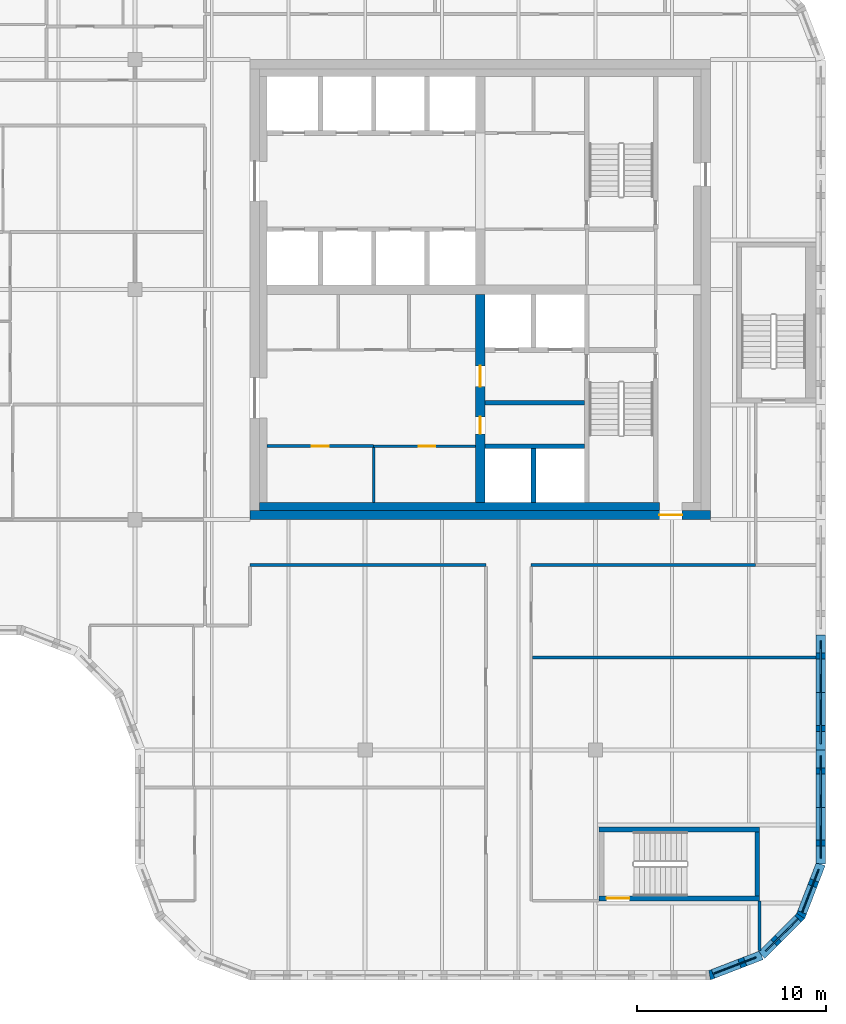
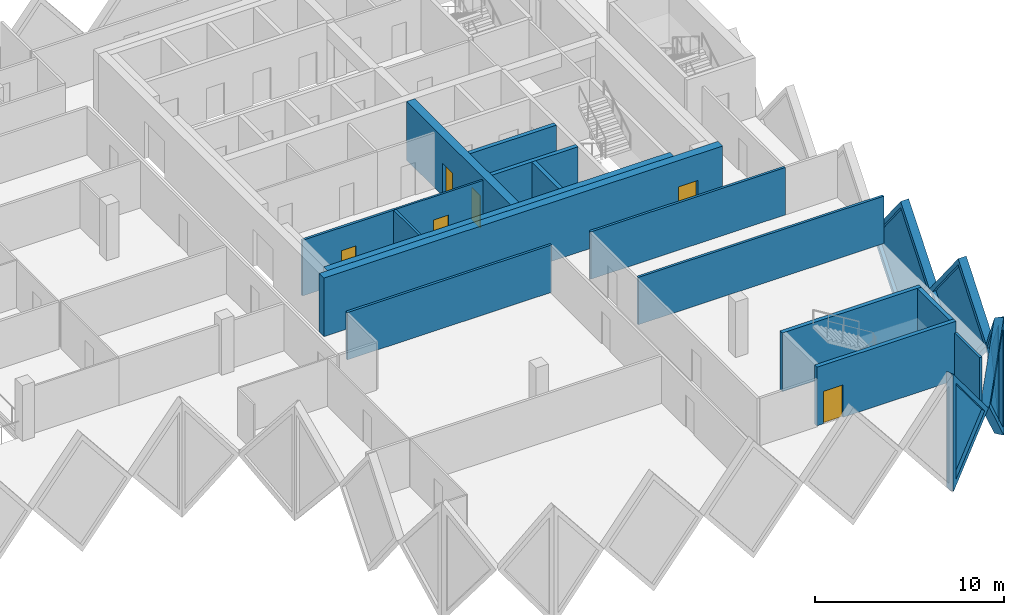
# One storey, part 5 of 12: 21 walls, 6 doors, 5 plates, 11 openings.
"""IFC4 building model written with IfcOpenShell, lengths in metres."""

from ifc_helpers import new_model, si_unit, direction, frame, frame_2d, origin, place, context, subcontext, project, spatial, polyline, rectangle, outline, extrude, faceted_brep, source, transform, mapped, material, layer, layer_set, type_object, element, fill, save


model = new_model("IFC4")

# Units and contexts
model_context = context("Model", 3, precision=1e-05, world=origin(), true_north=direction((0.0, 1.0)))
body_context = subcontext(model_context, "Body", "Model", "MODEL_VIEW")
ifc_project = project(units=[si_unit("LENGTHUNIT", "METRE"), si_unit("AREAUNIT", "SQUARE_METRE"), si_unit("VOLUMEUNIT", "CUBIC_METRE"), si_unit("PLANEANGLEUNIT", "RADIAN"), si_unit("MASSUNIT", "GRAM", prefix="KILO")], contexts=[model_context])

# Site, building, storey
site_placement = place(None, origin())
site = spatial("IfcSite", under=ifc_project, at=site_placement, CompositionType="ELEMENT")
building_placement = place(site_placement, origin())
building = spatial("IfcBuilding", under=site, at=building_placement, Name="Tessera Gate Towers", CompositionType="ELEMENT")
storey_placement = place(building_placement, frame((0.0, 0.0, 220.699951171875)))
storey = spatial("IfcBuildingStorey", under=building, at=storey_placement, Name="L55", CompositionType="ELEMENT", Elevation=220.699951171875)

# Walls
ifc_material_1 = material(Name="Concrete C40/50", Category="concrete")
ifc_layer_1 = layer(ifc_material_1, 0.25)
ifc_layer_set_1 = layer_set([ifc_layer_1], Name="CORE ENCLOSURE WALL 250")
wall_type_1 = type_object("IfcWallType", Name="CORE ENCLOSURE WALL 250", PredefinedType="SOLIDWALL", material=ifc_layer_set_1)
for number, where, z_axis, x_axis, name in (
    (1, (42.949951171875, 28.300048828125, 0.0), (0.0, 0.0, 1.0), (1.0, 0.0, 0.0), "L55 shaft and stair enclosure wall"),
    (2, (42.949951171875, 30.60009765625, 0.0), (0.0, 0.0, 1.0), (1.0, 0.0, 0.0), "L55 shaft and stair enclosure wall"),
):
    element("IfcWall", number, at=place(storey_placement, frame(where, z_axis=z_axis, x_axis=x_axis)), inside=storey, type_object=wall_type_1, Name=name, PredefinedType="SOLIDWALL", context=body_context, shape_type="SweptSolid", body=[
        extrude(rectangle(XDim=5.275146484375, YDim=0.25, at=frame_2d((2.6376953125, 0.0))), origin(), (0.0, 0.0, 1.0), 3.800048828125),
    ])
wall_1_placement = place(storey_placement, frame((45.52490234375, 25.300048828125, 0.0), z_axis=(0.0, 0.0, 1.0), x_axis=(0.0, 1.0, 0.0)))
element("IfcWall", 3, at=wall_1_placement, inside=storey, type_object=wall_type_1, Name="L55 shaft and stair enclosure wall", PredefinedType="SOLIDWALL", context=body_context, shape_type="SweptSolid", body=[
    extrude(rectangle(XDim=2.875, YDim=0.25, at=frame_2d((1.4375, 0.0))), origin(), (0.0, 0.0, 1.0), 3.800048828125),
])

# Wall, opening, door
wall_2_placement = place(storey_placement, frame((57.5, 4.324951171875, 0.0), z_axis=(0.0, 0.0, 1.0), x_axis=(-1.0, 0.0, 0.0)))
wall_2 = element("IfcWall", 4, at=wall_2_placement, inside=storey, type_object=wall_type_1, Name="L55 ST4 enclosure wall", PredefinedType="SOLIDWALL", context=body_context, shape_type="SweptSolid", body=[
    extrude(rectangle(XDim=8.5, YDim=0.25, at=frame_2d((4.25, 0.0))), origin(), (0.0, 0.0, 1.0), 3.800048828125),
])
shared_shape_1 = source(origin(), body_context, "Body", "SweptSolid", [
    extrude(rectangle(XDim=1.199951171875, YDim=2.10009765625, at=frame_2d((0.60009765625, 1.050048828125))), frame((0.0, 0.135009765625, 0.0), z_axis=(0.0, -1.0, 0.0), x_axis=(1.0, 0.0, 0.0)), (0.0, 0.0, 1.0), 0.27001953125),
])
opening_1_placement = place(wall_2_placement, frame((6.89990234375, 0.0, 0.0)))
opening_1 = element("IfcOpeningElement", 5, at=opening_1_placement, cuts=wall_2, Name="Opening SD-ST4-1", PredefinedType="OPENING", context=body_context, shape_type="MappedRepresentation", body=[
    mapped(shared_shape_1, transform((0.0, 0.0, 0.0), scale=1.0)),
])
ifc_material_2 = material(Name="Hollow steel fire door", Category="steel")
door_type_1 = type_object("IfcDoorType", Name="CORE DOOR SD 1200x2100", OperationType="NOTDEFINED", PredefinedType="DOOR", material=ifc_material_2)
shared_shape_2 = source(origin(), body_context, "Body", "SweptSolid", [
    extrude(rectangle(XDim=1.199951171875, YDim=2.10009765625, at=frame_2d((0.60009765625, 1.050048828125))), frame((0.0, 0.02490234375, 0.0), z_axis=(0.0, -1.0, 0.0), x_axis=(1.0, 0.0, 0.0)), (0.0, 0.0, 1.0), 0.050048828125),
])
door_1_placement = place(opening_1_placement, origin())
door_1 = element("IfcDoor", 6, at=door_1_placement, inside=storey, type_object=door_type_1, Name="Stair door", OperationType="SINGLE_SWING_RIGHT", OverallHeight=2.10009765625, OverallWidth=1.199951171875, PredefinedType="DOOR", context=body_context, shape_type="MappedRepresentation", body=[
    mapped(shared_shape_2, transform((0.0, 0.0, 0.0), scale=1.0)),
])
fill(opening_1, door_1)

# Walls
wall_3_placement = place(storey_placement, frame((49.0, 7.97509765625, 0.0), z_axis=(0.0, 0.0, 1.0), x_axis=(1.0, 0.0, 0.0)))
element("IfcWall", 7, at=wall_3_placement, inside=storey, type_object=wall_type_1, Name="L55 ST4 enclosure wall", PredefinedType="SOLIDWALL", context=body_context, shape_type="SweptSolid", body=[
    extrude(rectangle(XDim=8.5, YDim=0.25, at=frame_2d((4.25, 0.0))), origin(), (0.0, 0.0, 1.0), 3.800048828125),
])
wall_4_placement = place(storey_placement, frame((57.375, 7.85009765625, 0.0), z_axis=(0.0, 0.0, 1.0), x_axis=(0.0, -1.0, 0.0)))
element("IfcWall", 8, at=wall_4_placement, inside=storey, type_object=wall_type_1, Name="L55 ST4 enclosure wall", PredefinedType="SOLIDWALL", context=body_context, shape_type="SweptSolid", body=[
    extrude(rectangle(XDim=3.400146484375, YDim=0.25, at=frame_2d((1.7001953125, 0.0))), origin(), (0.0, 0.0, 1.0), 3.800048828125),
])

# Wall, opening, door
ifc_material_3 = material(Name="Gypsum board on steel studs", Category="steel")
ifc_layer_2 = layer(ifc_material_3, 0.1201171875)
ifc_layer_set_2 = layer_set([ifc_layer_2], Name="CORE PARTITION 120")
wall_type_2 = type_object("IfcWallType", Name="CORE PARTITION 120", PredefinedType="PARTITIONING", material=ifc_layer_set_2)
wall_5_placement = place(storey_placement, frame((42.449951171875, 28.300048828125, 0.0), z_axis=(0.0, 0.0, 1.0), x_axis=(-1.0, 0.0, 0.0)))
wall_5 = element("IfcWall", 9, at=wall_5_placement, inside=storey, type_object=wall_type_2, Name="L55 core partition", PredefinedType="PARTITIONING", context=body_context, shape_type="SweptSolid", body=[
    extrude(rectangle(XDim=5.39990234375, YDim=0.1201171875, at=frame_2d((2.699951171875, 0.0))), origin(), (0.0, 0.0, 1.0), 3.60009765625),
])
shared_shape_3 = source(origin(), body_context, "Body", "SweptSolid", [
    extrude(rectangle(XDim=0.89990234375, YDim=2.10009765625, at=frame_2d((0.449951171875, 1.050048828125))), frame((0.0, 0.070068359375, 0.0), z_axis=(0.0, -1.0, 0.0), x_axis=(1.0, 0.0, 0.0)), (0.0, 0.0, 1.0), 0.14013671875),
])
opening_2_placement = place(wall_5_placement, frame((2.125, 0.0, 0.0)))
opening_2 = element("IfcOpeningElement", 10, at=opening_2_placement, cuts=wall_5, Name="Opening RD-T1-33-14", PredefinedType="OPENING", context=body_context, shape_type="MappedRepresentation", body=[
    mapped(shared_shape_3, transform((0.0, 0.0, 0.0), scale=1.0)),
])
ifc_material_4 = material(Name="Hollow steel fire door", Category="steel")
door_type_2 = type_object("IfcDoorType", Name="CORE DOOR RD 900x2100", OperationType="NOTDEFINED", PredefinedType="DOOR", material=ifc_material_4)
shared_shape_4 = source(origin(), body_context, "Body", "SweptSolid", [
    extrude(rectangle(XDim=0.89990234375, YDim=2.10009765625, at=frame_2d((0.449951171875, 1.050048828125))), frame((0.0, 0.02490234375, 0.0), z_axis=(0.0, -1.0, 0.0), x_axis=(1.0, 0.0, 0.0)), (0.0, 0.0, 1.0), 0.050048828125),
])
door_2_placement = place(opening_2_placement, origin())
door_2 = element("IfcDoor", 11, at=door_2_placement, inside=storey, type_object=door_type_2, Name="Core room door", OperationType="SINGLE_SWING_LEFT", OverallHeight=2.10009765625, OverallWidth=0.89990234375, PredefinedType="DOOR", context=body_context, shape_type="MappedRepresentation", body=[
    mapped(shared_shape_4, transform((0.0, 0.0, 0.0), scale=1.0)),
])
fill(opening_2, door_2)

ifc_material_5 = material(Name="Concrete C50/60", Category="concrete")
ifc_layer_3 = layer(ifc_material_5, 0.5)
ifc_layer_set_3 = layer_set([ifc_layer_3], Name="CORE SHEAR WALL 500 C50/60")
wall_type_3 = type_object("IfcWallType", Name="CORE SHEAR WALL 500 C50/60", PredefinedType="SHEAR", material=ifc_layer_set_3)
wall_6_placement = place(storey_placement, frame((54.89990234375, 24.64990234375, 0.0), z_axis=(0.0, 0.0, 1.0), x_axis=(-1.0, 0.0, 0.0)))
wall_6 = element("IfcWall", 12, at=wall_6_placement, inside=storey, type_object=wall_type_3, Name="Core wall S L55", PredefinedType="SHEAR", context=body_context, shape_type="SweptSolid", body=[
    extrude(rectangle(XDim=24.39990234375, YDim=0.5, at=frame_2d((12.199951171875, 0.0))), origin(), (0.0, 0.0, 1.0), 3.800048828125),
])
shared_shape_5 = source(origin(), body_context, "Body", "SweptSolid", [
    extrude(rectangle(XDim=1.199951171875, YDim=2.10009765625, at=frame_2d((0.60009765625, 1.050048828125))), frame((0.0, 0.260009765625, 0.0), z_axis=(0.0, -1.0, 0.0), x_axis=(1.0, 0.0, 0.0)), (0.0, 0.0, 1.0), 0.52001953125),
])
opening_3_placement = place(wall_6_placement, frame((1.5, 0.0, 0.0)))
opening_3 = element("IfcOpeningElement", 13, at=opening_3_placement, cuts=wall_6, Name="Opening ED-T1-33-01", PredefinedType="OPENING", context=body_context, shape_type="MappedRepresentation", body=[
    mapped(shared_shape_5, transform((0.0, 0.0, 0.0), scale=1.0)),
])
ifc_material_6 = material(Name="Hollow steel fire door", Category="steel")
door_type_3 = type_object("IfcDoorType", Name="CORE DOOR ED 1200x2100", OperationType="NOTDEFINED", PredefinedType="DOOR", material=ifc_material_6)
door_3_placement = place(opening_3_placement, origin())
door_3 = element("IfcDoor", 14, at=door_3_placement, inside=storey, type_object=door_type_3, Name="Core exit door", OperationType="SINGLE_SWING_LEFT", OverallHeight=2.10009765625, OverallWidth=1.199951171875, PredefinedType="DOOR", context=body_context, shape_type="MappedRepresentation", body=[
    mapped(shared_shape_2, transform((0.0, 0.0, 0.0), scale=1.0)),
])
fill(opening_3, door_3)

# Wall, openings, doors
ifc_material_7 = material(Name="Concrete C50/60", Category="concrete")
ifc_layer_4 = layer(ifc_material_7, 0.5)
ifc_layer_set_4 = layer_set([ifc_layer_4], Name="CORE SPINE WALL 500 C50/60")
wall_type_4 = type_object("IfcWallType", Name="CORE SPINE WALL 500 C50/60", PredefinedType="SHEAR", material=ifc_layer_set_4)
wall_7_placement = place(storey_placement, frame((42.699951171875, 36.35009765625, 0.0), z_axis=(0.0, 0.0, 1.0), x_axis=(0.0, -1.0, 0.0)))
wall_7 = element("IfcWall", 15, at=wall_7_placement, inside=storey, type_object=wall_type_4, Name="Core wall spine L55", PredefinedType="SHEAR", context=body_context, shape_type="SweptSolid", body=[
    extrude(rectangle(XDim=11.050048828125, YDim=0.5, at=frame_2d((5.52490234375, 0.0))), origin(), (0.0, 0.0, 1.0), 3.800048828125),
])
shared_shape_6 = source(origin(), body_context, "Body", "SweptSolid", [
    extrude(rectangle(XDim=0.89990234375, YDim=2.10009765625, at=frame_2d((0.449951171875, 1.050048828125))), frame((0.0, 0.260009765625, 0.0), z_axis=(0.0, -1.0, 0.0), x_axis=(1.0, 0.0, 0.0)), (0.0, 0.0, 1.0), 0.52001953125),
])
opening_4_placement = place(wall_7_placement, frame((6.5, 0.0, 0.0)))
opening_4 = element("IfcOpeningElement", 16, at=opening_4_placement, cuts=wall_7, Name="Opening RD-T1-33-05", PredefinedType="OPENING", context=body_context, shape_type="MappedRepresentation", body=[
    mapped(shared_shape_6, transform((0.0, 0.0, 0.0), scale=1.0)),
])
shared_shape_7 = source(origin(), body_context, "Body", "SweptSolid", [
    extrude(rectangle(XDim=1.10009765625, YDim=2.10009765625, at=frame_2d((0.550048828125, 1.050048828125))), frame((0.0, 0.260009765625, 0.0), z_axis=(0.0, -1.0, 0.0), x_axis=(1.0, 0.0, 0.0)), (0.0, 0.0, 1.0), 0.52001953125),
])
opening_5_placement = place(wall_7_placement, frame((3.800048828125, 0.0, 0.0)))
opening_5 = element("IfcOpeningElement", 17, at=opening_5_placement, cuts=wall_7, Name="Opening FD-T1-33-06", PredefinedType="OPENING", context=body_context, shape_type="MappedRepresentation", body=[
    mapped(shared_shape_7, transform((0.0, 0.0, 0.0), scale=1.0)),
])
door_4_placement = place(opening_4_placement, origin())
door_4 = element("IfcDoor", 18, at=door_4_placement, inside=storey, type_object=door_type_2, Name="Core room door", OperationType="SINGLE_SWING_RIGHT", OverallHeight=2.10009765625, OverallWidth=0.89990234375, PredefinedType="DOOR", context=body_context, shape_type="MappedRepresentation", body=[
    mapped(shared_shape_4, transform((0.0, 0.0, 0.0), scale=1.0)),
])
fill(opening_4, door_4)
ifc_material_8 = material(Name="Hollow steel fire door", Category="steel")
door_type_4 = type_object("IfcDoorType", Name="CORE DOOR FD 1100x2100", OperationType="NOTDEFINED", PredefinedType="DOOR", material=ifc_material_8)
shared_shape_8 = source(origin(), body_context, "Body", "SweptSolid", [
    extrude(rectangle(XDim=1.10009765625, YDim=2.10009765625, at=frame_2d((0.550048828125, 1.050048828125))), frame((0.0, 0.02490234375, 0.0), z_axis=(0.0, -1.0, 0.0), x_axis=(1.0, 0.0, 0.0)), (0.0, 0.0, 1.0), 0.050048828125),
])
door_5_placement = place(opening_5_placement, origin())
door_5 = element("IfcDoor", 19, at=door_5_placement, inside=storey, type_object=door_type_4, Name="Fire-fighting lobby door", OperationType="SINGLE_SWING_LEFT", OverallHeight=2.10009765625, OverallWidth=1.10009765625, PredefinedType="DOOR", context=body_context, shape_type="MappedRepresentation", body=[
    mapped(shared_shape_8, transform((0.0, 0.0, 0.0), scale=1.0)),
])
fill(opening_5, door_5)

# Walls
ifc_material_9 = material(Name="Concrete C50/60", Category="concrete")
ifc_layer_5 = layer(ifc_material_9, 0.39990234375)
ifc_layer_set_5 = layer_set([ifc_layer_5], Name="CORE WALL THICKENING 400")
wall_type_5 = type_object("IfcWallType", Name="CORE WALL THICKENING 400", PredefinedType="SOLIDWALL", material=ifc_layer_set_5)
wall_8_placement = place(storey_placement, frame((31.0, 25.10009765625, 0.0), z_axis=(0.0, 0.0, 1.0), x_axis=(1.0, 0.0, 0.0)))
element("IfcWall", 20, at=wall_8_placement, inside=storey, type_object=wall_type_5, Name="Core wall thickening S L55", PredefinedType="SOLIDWALL", context=body_context, shape_type="SweptSolid", body=[
    extrude(rectangle(XDim=21.199951171875, YDim=0.39990234375, at=frame_2d((10.60009765625, 0.0))), origin(), (0.0, 0.0, 1.0), 3.800048828125),
])
ifc_material_10 = material(Name="Gypsum board on steel studs, mineral wool", Category="steel")
ifc_layer_6 = layer(ifc_material_10, 0.14990234375)
ifc_layer_set_6 = layer_set([ifc_layer_6], Name="CORRIDOR WALL 150")
wall_type_6 = type_object("IfcWallType", Name="CORRIDOR WALL 150", PredefinedType="PARTITIONING", material=ifc_layer_set_6)
wall_9_placement = place(storey_placement, frame((57.5, 1.55908203125, 0.0), z_axis=(0.0, 0.0, 1.0), x_axis=(0.0, 1.0, 0.0)))
element("IfcWall", 21, at=wall_9_placement, inside=storey, type_object=wall_type_6, Name="T1-L55-PW-002", PredefinedType="PARTITIONING", context=body_context, shape_type="SweptSolid", body=[
    extrude(rectangle(XDim=2.640869140625, YDim=0.14990234375, at=frame_2d((1.3203125, 0.0))), origin(), (0.0, 0.0, 1.0), 3.067138671875),
])
wall_10_placement = place(storey_placement, frame((30.5, 22.0, 0.0), z_axis=(0.0, 0.0, 1.0), x_axis=(1.0, 0.0, 0.0)))
element("IfcWall", 22, at=wall_10_placement, inside=storey, type_object=wall_type_6, Name="T1-L55-PW-018", PredefinedType="PARTITIONING", context=body_context, shape_type="SweptSolid", body=[
    extrude(rectangle(XDim=12.5, YDim=0.14990234375, at=frame_2d((6.25, 0.0))), origin(), (0.0, 0.0, 1.0), 3.067138671875),
])
wall_11_placement = place(storey_placement, frame((45.39990234375, 22.0, 0.0), z_axis=(0.0, 0.0, 1.0), x_axis=(1.0, 0.0, 0.0)))
element("IfcWall", 23, at=wall_11_placement, inside=storey, type_object=wall_type_6, Name="T1-L55-PW-019", PredefinedType="PARTITIONING", context=body_context, shape_type="SweptSolid", body=[
    extrude(rectangle(XDim=11.900146484375, YDim=0.14990234375, at=frame_2d((5.9501953125, 0.0))), origin(), (0.0, 0.0, 1.0), 3.067138671875),
])

# Wall, opening, door
ifc_material_11 = material(Name="Gypsum board on steel studs", Category="steel")
ifc_layer_7 = layer(ifc_material_11, 0.14990234375)
ifc_layer_set_7 = layer_set([ifc_layer_7], Name="SERVICE ROOM WALL 150")
wall_type_7 = type_object("IfcWallType", Name="SERVICE ROOM WALL 150", PredefinedType="PARTITIONING", material=ifc_layer_set_7)
wall_12_placement = place(storey_placement, frame((37.050048828125, 28.300048828125, 0.0), z_axis=(0.0, 0.0, 1.0), x_axis=(-1.0, 0.0, 0.0)))
wall_12 = element("IfcWall", 24, at=wall_12_placement, inside=storey, type_object=wall_type_7, Name="L55 service room wall", PredefinedType="PARTITIONING", context=body_context, shape_type="SweptSolid", body=[
    extrude(rectangle(XDim=5.650146484375, YDim=0.14990234375, at=frame_2d((2.8251953125, 0.0))), origin(), (0.0, 0.0, 1.0), 3.60009765625),
])
shared_shape_9 = source(origin(), body_context, "Body", "SweptSolid", [
    extrude(rectangle(XDim=0.89990234375, YDim=2.10009765625, at=frame_2d((0.449951171875, 1.050048828125))), frame((0.0, 0.0849609375, 0.0), z_axis=(0.0, -1.0, 0.0), x_axis=(1.0, 0.0, 0.0)), (0.0, 0.0, 1.0), 0.169921875),
])
opening_6_placement = place(wall_12_placement, frame((2.375, 0.0, 0.0)))
opening_6 = element("IfcOpeningElement", 25, at=opening_6_placement, cuts=wall_12, Name="Opening RD-T1-33-13", PredefinedType="OPENING", context=body_context, shape_type="MappedRepresentation", body=[
    mapped(shared_shape_9, transform((0.0, 0.0, 0.0), scale=1.0)),
])
door_6_placement = place(opening_6_placement, origin())
door_6 = element("IfcDoor", 26, at=door_6_placement, inside=storey, type_object=door_type_2, Name="Core room door", OperationType="SINGLE_SWING_LEFT", OverallHeight=2.10009765625, OverallWidth=0.89990234375, PredefinedType="DOOR", context=body_context, shape_type="MappedRepresentation", body=[
    mapped(shared_shape_4, transform((0.0, 0.0, 0.0), scale=1.0)),
])
fill(opening_6, door_6)

# Walls
wall_13_placement = place(storey_placement, frame((37.050048828125, 25.300048828125, 0.0), z_axis=(0.0, 0.0, 1.0), x_axis=(0.0, 1.0, 0.0)))
element("IfcWall", 27, at=wall_13_placement, inside=storey, type_object=wall_type_7, Name="L55 service room wall", PredefinedType="PARTITIONING", context=body_context, shape_type="SweptSolid", body=[
    extrude(rectangle(XDim=2.925048828125, YDim=0.14990234375, at=frame_2d((1.46240234375, 0.0))), origin(), (0.0, 0.0, 1.0), 3.60009765625),
])
ifc_material_12 = material(Name="Gypsum board on steel studs, mineral wool", Category="steel")
ifc_layer_8 = layer(ifc_material_12, 0.14990234375)
ifc_layer_set_8 = layer_set([ifc_layer_8], Name="TENANCY WALL 150")
wall_type_8 = type_object("IfcWallType", Name="TENANCY WALL 150", PredefinedType="PARTITIONING", material=ifc_layer_set_8)
wall_14_placement = place(storey_placement, frame((45.47607421875, 17.10009765625, 0.0), z_axis=(0.0, 0.0, 1.0), x_axis=(1.0, 0.0, 0.0)))
element("IfcWall", 28, at=wall_14_placement, inside=storey, type_object=wall_type_8, Name="T1-L55-PW-011", PredefinedType="PARTITIONING", context=body_context, shape_type="SweptSolid", body=[
    extrude(rectangle(XDim=15.02392578125, YDim=0.14990234375, at=frame_2d((7.511962890625, 0.0))), origin(), (0.0, 0.0, 1.0), 3.067138671875),
])

# Wall, opening, plate
ifc_material_13 = material(Name="Precast concrete C60/75 white", Category="concrete")
ifc_layer_9 = layer(ifc_material_13, 0.5)
ifc_layer_set_9 = layer_set([ifc_layer_9], Name="TS1 tessera")
wall_type_9 = type_object("IfcWallType", Name="TS1 tessera", PredefinedType="SOLIDWALL", material=ifc_layer_set_9)
shared_shape_10 = source(origin(), body_context, "Body", "Brep", [
    faceted_brep([(3.00341796875, -0.25, 0.0), (6.053466796875, -0.25, 3.800048828125), (3.00341796875, -0.25, 7.60009765625), (0.0, -0.25, 3.800048828125), (0.046630859375, 0.25, 3.85888671875), (3.00341796875, 0.25, 7.60009765625), (6.053466796875, 0.25, 3.800048828125), (3.00341796875, 0.25, 0.0), (0.046630859375, 0.25, 3.7412109375), (0.0, 0.0, 3.800048828125)], [[[0, 1, 2, 3]], [[4, 5, 6, 7, 8]], [[7, 6, 1, 0]], [[6, 5, 2, 1]], [[5, 4, 9, 3, 2]], [[8, 7, 0, 3, 9]], [[8, 9, 4]]]),
])
wall_15_placement = place(storey_placement, frame((60.75, 6.146484375, -3.800048828125), z_axis=(0.0, 0.0, 1.0), x_axis=(0.0, 1.0, 0.0)))
wall_15 = element("IfcWall", 29, at=wall_15_placement, inside=storey, type_object=wall_type_9, Name="Precast tessera T1 TS1-0969", PredefinedType="SOLIDWALL", context=body_context, shape_type="MappedRepresentation", body=[
    mapped(shared_shape_10, transform((0.0, 0.0, 0.0), scale=1.0)),
])
shared_shape_11 = source(origin(), body_context, "Body", "SweptSolid", [
    extrude(outline(polyline([(3.0048828125, 0.4013671875), (5.73291015625, 3.800048828125), (3.0048828125, 7.19873046875), (0.318603515625, 3.800048828125), (3.0048828125, 0.4013671875)])), frame((0.0, 0.260009765625, 0.0), z_axis=(0.0, -1.0, 0.0), x_axis=(1.0, 0.0, 0.0)), (0.0, 0.0, 1.0), 0.52001953125),
])
opening_7_placement = place(wall_15_placement, origin())
opening_7 = element("IfcOpeningElement", 30, at=opening_7_placement, cuts=wall_15, Name="Opening T1-PL2-1983", PredefinedType="OPENING", context=body_context, shape_type="MappedRepresentation", body=[
    mapped(shared_shape_11, transform((0.0, 0.0, 0.0), scale=1.0)),
])
ifc_material_14 = material(Name="Low-e laminated glass", Category="glass")
ifc_layer_10 = layer(ifc_material_14, 0.06005859375)
ifc_layer_set_10 = layer_set([ifc_layer_10], Name="PL2 rhombic pane")
plate_type = type_object("IfcPlateType", Name="PL2 rhombic pane", PredefinedType="SHEET", material=ifc_layer_set_10)
shared_shape_12 = source(origin(), body_context, "Body", "SweptSolid", [
    extrude(outline(polyline([(3.0048828125, 0.4013671875), (5.73291015625, 3.800048828125), (3.0048828125, 7.19873046875), (0.318603515625, 3.800048828125), (3.0048828125, 0.4013671875)])), frame((0.0, 0.030029296875, 0.0), z_axis=(0.0, -1.0, 0.0), x_axis=(1.0, 0.0, 0.0)), (0.0, 0.0, 1.0), 0.06005859375),
])
plate_1_placement = place(opening_7_placement, origin())
plate_1 = element("IfcPlate", 31, at=plate_1_placement, inside=storey, type_object=plate_type, Name="Glass pane T1 PL2-1983", PredefinedType="SHEET", context=body_context, shape_type="MappedRepresentation", body=[
    mapped(shared_shape_12, transform((0.0, 0.0, 0.0), scale=1.0)),
])
fill(opening_7, plate_1)

shared_shape_13 = source(origin(), body_context, "Body", "SweptSolid", [
    extrude(outline(polyline([(3.050048828125, 0.0), (6.10009765625, 3.800048828125), (3.050048828125, 7.60009765625), (0.0, 3.800048828125), (3.050048828125, 0.0)])), frame((0.0, 0.25, 0.0), z_axis=(0.0, -1.0, 0.0), x_axis=(1.0, 0.0, 0.0)), (0.0, 0.0, 1.0), 0.5),
])
wall_16_placement = place(storey_placement, frame((60.75, 12.199951171875, -3.800048828125), z_axis=(0.0, 0.0, 1.0), x_axis=(0.0, 1.0, 0.0)))
wall_16 = element("IfcWall", 32, at=wall_16_placement, inside=storey, type_object=wall_type_9, Name="Precast tessera T1 TS1-0970", PredefinedType="SOLIDWALL", context=body_context, shape_type="MappedRepresentation", body=[
    mapped(shared_shape_13, transform((0.0, 0.0, 0.0), scale=1.0)),
])
shared_shape_14 = source(origin(), body_context, "Body", "SweptSolid", [
    extrude(outline(polyline([(3.050048828125, 0.3994140625), (5.779541015625, 3.800048828125), (3.050048828125, 7.20068359375), (0.320556640625, 3.800048828125), (3.050048828125, 0.3994140625)])), frame((0.0, 0.260009765625, 0.0), z_axis=(0.0, -1.0, 0.0), x_axis=(1.0, 0.0, 0.0)), (0.0, 0.0, 1.0), 0.52001953125),
])
opening_8_placement = place(wall_16_placement, origin())
opening_8 = element("IfcOpeningElement", 33, at=opening_8_placement, cuts=wall_16, Name="Opening T1-PL2-1984", PredefinedType="OPENING", context=body_context, shape_type="MappedRepresentation", body=[
    mapped(shared_shape_14, transform((0.0, 0.0, 0.0), scale=1.0)),
])
shared_shape_15 = source(origin(), body_context, "Body", "SweptSolid", [
    extrude(outline(polyline([(3.050048828125, 0.3994140625), (5.779541015625, 3.800048828125), (3.050048828125, 7.20068359375), (0.320556640625, 3.800048828125), (3.050048828125, 0.3994140625)])), frame((0.0, 0.030029296875, 0.0), z_axis=(0.0, -1.0, 0.0), x_axis=(1.0, 0.0, 0.0)), (0.0, 0.0, 1.0), 0.06005859375),
])
plate_2_placement = place(opening_8_placement, origin())
plate_2 = element("IfcPlate", 34, at=plate_2_placement, inside=storey, type_object=plate_type, Name="Glass pane T1 PL2-1984", PredefinedType="SHEET", context=body_context, shape_type="MappedRepresentation", body=[
    mapped(shared_shape_15, transform((0.0, 0.0, 0.0), scale=1.0)),
])
fill(opening_8, plate_2)

ifc_material_15 = material(Name="Precast concrete C60/75 white", Category="concrete")
ifc_layer_11 = layer(ifc_material_15, 0.5)
ifc_layer_set_11 = layer_set([ifc_layer_11], Name="TS3 corner tessera")
wall_type_10 = type_object("IfcWallType", Name="TS3 corner tessera", PredefinedType="SOLIDWALL", material=ifc_layer_set_11)
shared_shape_16 = source(origin(), body_context, "Body", "Brep", [
    faceted_brep([(0.046630859375, -0.25, 0.0), (2.9970703125, -0.25, 3.800048828125), (0.046630859375, -0.25, 7.60009765625), (0.0, -0.25, 7.541259765625), (0.0, -0.25, 0.058837890625), (0.09326171875, 0.25, 7.5400390625), (2.9443359375, 0.25, 3.8681640625), (2.9443359375, 0.25, 3.73193359375), (0.09326171875, 0.25, 0.06005859375), (2.9970703125, 0.00048828125, 3.800048828125), (0.046630859375, 0.0, 0.0), (0.046630859375, 0.0, 7.60009765625)], [[[0, 1, 2, 3, 4]], [[5, 6, 7, 8]], [[8, 7, 9, 1, 0, 10]], [[6, 5, 11, 2, 1, 9]], [[3, 2, 11]], [[10, 0, 4]], [[8, 10, 4, 3, 11, 5]], [[9, 7, 6]]]),
])
wall_17_placement = place(storey_placement, frame((54.81005859375, 0.233154296875, -3.800048828125), z_axis=(0.0, 0.0, 1.0), x_axis=(0.932990326376, 0.359901446078, 0.0)))
wall_17 = element("IfcWall", 35, at=wall_17_placement, inside=storey, type_object=wall_type_10, Name="Precast corner tessera T1 TS3-1276", PredefinedType="SOLIDWALL", context=body_context, shape_type="MappedRepresentation", body=[
    mapped(shared_shape_16, transform((0.0, 0.0, 0.0), scale=1.0)),
])
shared_shape_17 = source(origin(), body_context, "Body", "SweptSolid", [
    extrude(outline(polyline([(0.24658203125, 0.665283203125), (2.6806640625, 3.800048828125), (0.24658203125, 6.934814453125), (0.24658203125, 0.665283203125)])), frame((0.0, 0.260009765625, 0.0), z_axis=(0.0, -1.0, 0.0), x_axis=(1.0, 0.0, 0.0)), (0.0, 0.0, 1.0), 0.52001953125),
])
opening_9_placement = place(wall_17_placement, origin())
opening_9 = element("IfcOpeningElement", 36, at=opening_9_placement, cuts=wall_17, Name="Opening T1-PL2-1980", PredefinedType="OPENING", context=body_context, shape_type="MappedRepresentation", body=[
    mapped(shared_shape_17, transform((0.0, 0.0, 0.0), scale=1.0)),
])
shared_shape_18 = source(origin(), body_context, "Body", "SweptSolid", [
    extrude(outline(polyline([(0.24658203125, 0.665283203125), (2.6806640625, 3.800048828125), (0.24658203125, 6.934814453125), (0.24658203125, 0.665283203125)])), frame((0.0, 0.030029296875, 0.0), z_axis=(0.0, -1.0, 0.0), x_axis=(1.0, 0.0, 0.0)), (0.0, 0.0, 1.0), 0.06005859375),
])
plate_3_placement = place(opening_9_placement, origin())
plate_3 = element("IfcPlate", 37, at=plate_3_placement, inside=storey, type_object=plate_type, Name="Glass pane T1 PL2-1980", PredefinedType="SHEET", context=body_context, shape_type="MappedRepresentation", body=[
    mapped(shared_shape_18, transform((0.0, 0.0, 0.0), scale=1.0)),
])
fill(opening_9, plate_3)

shared_shape_19 = source(origin(), body_context, "Body", "Brep", [
    faceted_brep([(2.944091796875, -0.25, 0.0), (2.9970703125, -0.25, 0.068115234375), (2.9970703125, -0.25, 7.531982421875), (2.944091796875, -0.25, 7.60009765625), (0.0, -0.25, 3.800048828125), (0.052978515625, 0.25, 3.868408203125), (2.89111328125, 0.25, 7.531982421875), (2.89111328125, 0.25, 0.068115234375), (0.052978515625, 0.25, 3.731689453125), (2.944091796875, 0.000244140625, 0.0), (2.944091796875, 0.000244140625, 7.60009765625), (0.0, 0.0, 3.800048828125)], [[[0, 1, 2, 3, 4]], [[5, 6, 7, 8]], [[1, 0, 9]], [[10, 3, 2]], [[6, 5, 11, 4, 3, 10]], [[8, 7, 9, 0, 4, 11]], [[8, 11, 5]], [[1, 9, 7, 6, 10, 2]]]),
])
wall_18_placement = place(storey_placement, frame((57.606201171875, 1.31201171875, -3.800048828125), z_axis=(0.0, 0.0, 1.0), x_axis=(0.707147509625, 0.707066050402, 0.0)))
wall_18 = element("IfcWall", 38, at=wall_18_placement, inside=storey, type_object=wall_type_10, Name="Precast corner tessera T1 TS3-1277", PredefinedType="SOLIDWALL", context=body_context, shape_type="MappedRepresentation", body=[
    mapped(shared_shape_19, transform((0.0, 0.0, 0.0), scale=1.0)),
])
shared_shape_20 = source(origin(), body_context, "Body", "SweptSolid", [
    extrude(outline(polyline([(2.744140625, 6.933837890625), (0.316162109375, 3.800048828125), (2.744140625, 0.66650390625), (2.744140625, 6.933837890625)])), frame((0.0, 0.260009765625, 0.0), z_axis=(0.0, -1.0, 0.0), x_axis=(1.0, 0.0, 0.0)), (0.0, 0.0, 1.0), 0.52001953125),
])
opening_10_placement = place(wall_18_placement, origin())
opening_10 = element("IfcOpeningElement", 39, at=opening_10_placement, cuts=wall_18, Name="Opening T1-PL2-1981", PredefinedType="OPENING", context=body_context, shape_type="MappedRepresentation", body=[
    mapped(shared_shape_20, transform((0.0, 0.0, 0.0), scale=1.0)),
])
shared_shape_21 = source(origin(), body_context, "Body", "SweptSolid", [
    extrude(outline(polyline([(2.744140625, 6.933837890625), (0.316162109375, 3.800048828125), (2.744140625, 0.66650390625), (2.744140625, 6.933837890625)])), frame((0.0, 0.030029296875, 0.0), z_axis=(0.0, -1.0, 0.0), x_axis=(1.0, 0.0, 0.0)), (0.0, 0.0, 1.0), 0.06005859375),
])
plate_4_placement = place(opening_10_placement, origin())
plate_4 = element("IfcPlate", 40, at=plate_4_placement, inside=storey, type_object=plate_type, Name="Glass pane T1 PL2-1981", PredefinedType="SHEET", context=body_context, shape_type="MappedRepresentation", body=[
    mapped(shared_shape_21, transform((0.0, 0.0, 0.0), scale=1.0)),
])
fill(opening_10, plate_4)

shared_shape_22 = source(origin(), body_context, "Body", "Brep", [
    faceted_brep([(0.052978515625, -0.25, 0.0), (3.00341796875, -0.25, 3.800048828125), (0.052978515625, -0.25, 7.60009765625), (0.0, -0.25, 7.53173828125), (0.0, -0.25, 0.068359375), (0.10595703125, 0.25, 7.531982421875), (2.95703125, 0.25, 3.85986328125), (2.95703125, 0.25, 3.740234375), (0.10595703125, 0.25, 0.068115234375), (3.00341796875, 0.00048828125, 3.800048828125), (0.052978515625, 0.0, 0.0), (0.052978515625, 0.0, 7.60009765625)], [[[0, 1, 2, 3, 4]], [[5, 6, 7, 8]], [[8, 7, 9, 1, 0, 10]], [[6, 5, 11, 2, 1, 9]], [[3, 2, 11]], [[10, 0, 4]], [[8, 10, 4, 3, 11, 5]], [[9, 7, 6]]]),
])
wall_19_placement = place(storey_placement, frame((59.6689453125, 3.34423828125, -3.800048828125), z_axis=(0.0, 0.0, 1.0), x_axis=(0.35992665181, 0.932980602862, 0.0)))
wall_19 = element("IfcWall", 41, at=wall_19_placement, inside=storey, type_object=wall_type_10, Name="Precast corner tessera T1 TS3-1278", PredefinedType="SOLIDWALL", context=body_context, shape_type="MappedRepresentation", body=[
    mapped(shared_shape_22, transform((0.0, 0.0, 0.0), scale=1.0)),
])
shared_shape_23 = source(origin(), body_context, "Body", "SweptSolid", [
    extrude(outline(polyline([(0.2529296875, 0.665283203125), (2.68701171875, 3.800048828125), (0.2529296875, 6.934814453125), (0.2529296875, 0.665283203125)])), frame((0.0, 0.260009765625, 0.0), z_axis=(0.0, -1.0, 0.0), x_axis=(1.0, 0.0, 0.0)), (0.0, 0.0, 1.0), 0.52001953125),
])
opening_11_placement = place(wall_19_placement, origin())
opening_11 = element("IfcOpeningElement", 42, at=opening_11_placement, cuts=wall_19, Name="Opening T1-PL2-1982", PredefinedType="OPENING", context=body_context, shape_type="MappedRepresentation", body=[
    mapped(shared_shape_23, transform((0.0, 0.0, 0.0), scale=1.0)),
])
shared_shape_24 = source(origin(), body_context, "Body", "SweptSolid", [
    extrude(outline(polyline([(0.2529296875, 0.665283203125), (2.68701171875, 3.800048828125), (0.2529296875, 6.934814453125), (0.2529296875, 0.665283203125)])), frame((0.0, 0.030029296875, 0.0), z_axis=(0.0, -1.0, 0.0), x_axis=(1.0, 0.0, 0.0)), (0.0, 0.0, 1.0), 0.06005859375),
])
plate_5_placement = place(opening_11_placement, origin())
plate_5 = element("IfcPlate", 43, at=plate_5_placement, inside=storey, type_object=plate_type, Name="Glass pane T1 PL2-1982", PredefinedType="SHEET", context=body_context, shape_type="MappedRepresentation", body=[
    mapped(shared_shape_24, transform((0.0, 0.0, 0.0), scale=1.0)),
])
fill(opening_11, plate_5)

save(model, "model.ifc")
